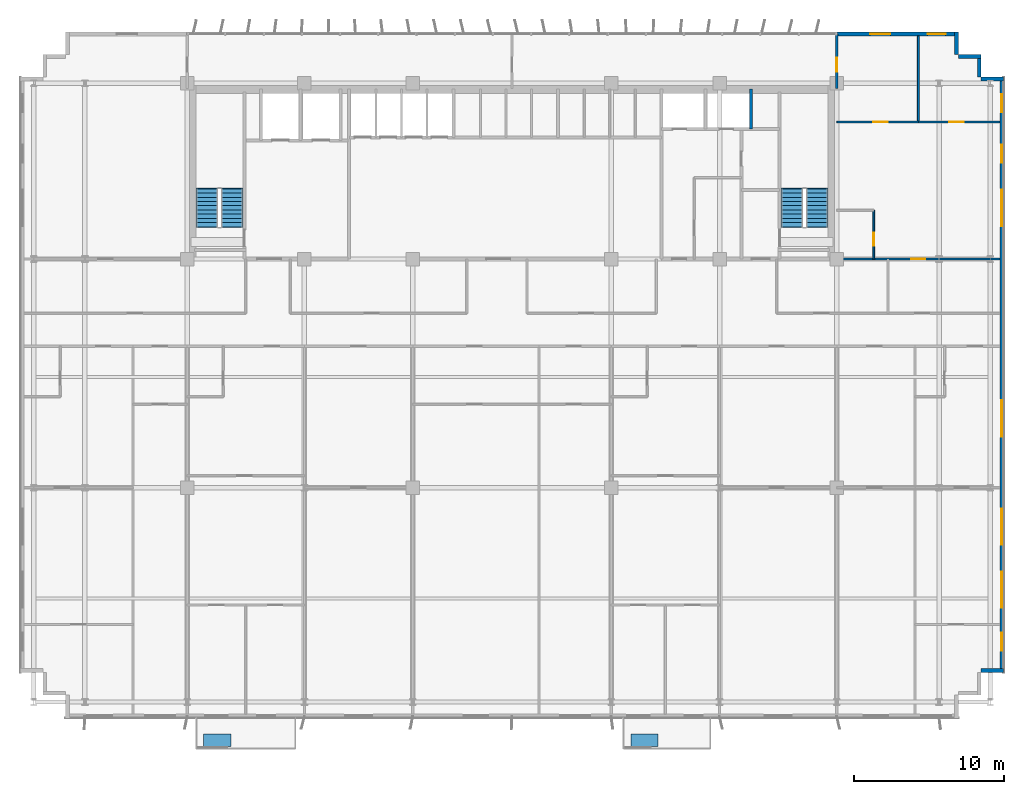
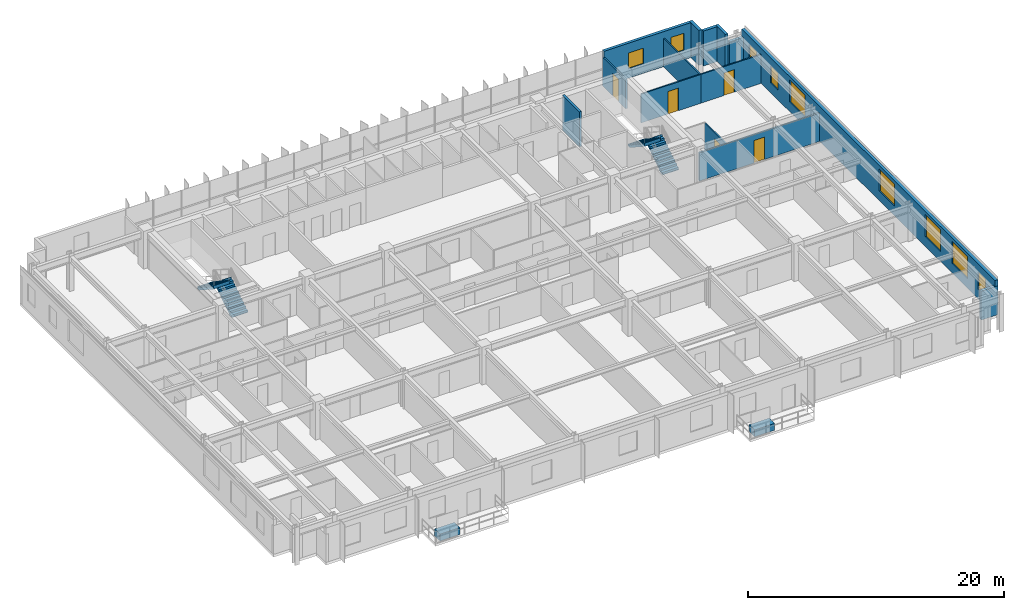
# One storey, part 19 of 22: 14 walls, 9 windows, 5 doors, 4 stair flights, 2 discrete accessories, 14 openings, 2 elements without a shape of their own.
"""IFC4 building model written with IfcOpenShell, lengths in metres."""

from ifc_helpers import new_model, si_unit, direction, frame, frame_2d, origin, origin_2d, place, context, subcontext, project, spatial, polyline, rectangle, outline, extrude, source, transform, mapped, material, layer, layer_set, type_object, element, fill, aggregate, save


model = new_model("IFC4")

# Units and contexts
model_context = context("Model", 3, precision=1e-05, world=origin(), true_north=direction((0.0, 1.0)))
body_context = subcontext(model_context, "Body", "Model", "MODEL_VIEW")
ifc_project = project(units=[si_unit("LENGTHUNIT", "METRE"), si_unit("AREAUNIT", "SQUARE_METRE"), si_unit("VOLUMEUNIT", "CUBIC_METRE"), si_unit("PLANEANGLEUNIT", "RADIAN"), si_unit("MASSUNIT", "GRAM", prefix="KILO")], contexts=[model_context])

# Site, building, storey
site_placement = place(None, origin())
site = spatial("IfcSite", under=ifc_project, at=site_placement, CompositionType="ELEMENT")
building_placement = place(site_placement, origin())
building = spatial("IfcBuilding", under=site, at=building_placement, Name="Trelvane Seafront Commons", CompositionType="ELEMENT")
storey_placement = place(building_placement, frame((0.0, 0.0, 52.300048828125)))
storey = spatial("IfcBuildingStorey", under=building, at=storey_placement, Name="L13", CompositionType="ELEMENT", Elevation=52.300048828125)

# Wall, openings, windows
ifc_material_1 = material(Name="Precast concrete C40/50", Category="concrete")
ifc_layer_1 = layer(ifc_material_1, 0.260009765625, Name="ARCH-WALL-EXT260")
ifc_layer_set_1 = layer_set([ifc_layer_1], Name="Precast concrete C40/50")
wall_type_1 = type_object("IfcWallType", Name="ARCH-WALL-EXT260", PredefinedType="SOLIDWALL", material=ifc_layer_set_1)
wall_1_placement = place(storey_placement, frame((58.800048828125, 48.3701171875, 0.0), z_axis=(0.0, 0.0, 1.0), x_axis=(1.0, 0.0, 0.0)))
wall_1 = element("IfcWall", 1, at=wall_1_placement, inside=storey, type_object=wall_type_1, Name="EW-L13-NE-0214", PredefinedType="SOLIDWALL", context=body_context, shape_type="SweptSolid", body=[
    extrude(rectangle(XDim=8.0, YDim=0.260009765625, at=frame_2d((4.0, 0.0))), origin(), (0.0, 0.0, 1.0), 3.33984375),
])
opening_1_placement = place(wall_1_placement, frame((2.208984375, 0.0, 0.89990234375)))
opening_1 = element("IfcOpeningElement", 2, at=opening_1_placement, cuts=wall_1, Name="Opening W09", PredefinedType="OPENING", context=body_context, shape_type="SweptSolid", body=[
    extrude(rectangle(XDim=1.35009765625, YDim=1.5, at=frame_2d((0.675048828125, 0.75))), frame((0.0, 0.139892578125, 0.0), z_axis=(0.0, -1.0, 0.0), x_axis=(1.0, 0.0, 0.0)), (0.0, 0.0, 1.0), 0.280029296875),
])
opening_2_placement = place(wall_1_placement, frame((6.032958984375, 0.0, 0.89990234375)))
opening_2 = element("IfcOpeningElement", 3, at=opening_2_placement, cuts=wall_1, Name="Opening W05", PredefinedType="OPENING", context=body_context, shape_type="SweptSolid", body=[
    extrude(rectangle(XDim=1.199951171875, YDim=1.64990234375, at=frame_2d((0.60009765625, 0.824951171875))), frame((0.0, 0.139892578125, 0.0), z_axis=(0.0, -1.0, 0.0), x_axis=(1.0, 0.0, 0.0)), (0.0, 0.0, 1.0), 0.280029296875),
])
ifc_material_2 = material(Name="Low-E coastal double glazing", Category="glass")
window_type_1 = type_object("IfcWindowType", Name="ARCH-WIN-W09", PartitioningType="SINGLE_PANEL", PredefinedType="WINDOW", material=ifc_material_2)
shared_shape_1 = source(origin(), body_context, "Body", "SweptSolid", [
    extrude(rectangle(XDim=1.35009765625, YDim=1.5, at=frame_2d((0.675048828125, 0.75))), frame((0.0, 0.030029296875, 0.0), z_axis=(0.0, -1.0, 0.0), x_axis=(1.0, 0.0, 0.0)), (0.0, 0.0, 1.0), 0.06005859375),
])
window_1_placement = place(opening_1_placement, origin())
window_1 = element("IfcWindow", 4, at=window_1_placement, inside=storey, type_object=window_type_1, Name="WIN-L13-00263", OverallHeight=1.5, OverallWidth=1.35009765625, PartitioningType="SINGLE_PANEL", PredefinedType="WINDOW", context=body_context, shape_type="MappedRepresentation", body=[
    mapped(shared_shape_1, transform((0.0, 0.0, 0.0), x_axis=(1.0, 0.0, 0.0), y_axis=(0.0, 1.0, 0.0), z_axis=(0.0, 0.0, 1.0), scale=1.0)),
])
fill(opening_1, window_1)
window_type_2 = type_object("IfcWindowType", Name="ARCH-WIN-W05", PartitioningType="SINGLE_PANEL", PredefinedType="WINDOW", material=ifc_material_2)
shared_shape_2 = source(origin(), body_context, "Body", "SweptSolid", [
    extrude(rectangle(XDim=1.199951171875, YDim=1.64990234375, at=frame_2d((0.60009765625, 0.824951171875))), frame((0.0, 0.030029296875, 0.0), z_axis=(0.0, -1.0, 0.0), x_axis=(1.0, 0.0, 0.0)), (0.0, 0.0, 1.0), 0.06005859375),
])
window_2_placement = place(opening_2_placement, origin())
window_2 = element("IfcWindow", 5, at=window_2_placement, inside=storey, type_object=window_type_2, Name="WIN-L13-00264", OverallHeight=1.64990234375, OverallWidth=1.199951171875, PartitioningType="SINGLE_PANEL", PredefinedType="WINDOW", context=body_context, shape_type="MappedRepresentation", body=[
    mapped(shared_shape_2, transform((0.0, 0.0, 0.0), x_axis=(1.0, 0.0, 0.0), y_axis=(0.0, 1.0, 0.0), z_axis=(0.0, 0.0, 1.0), scale=1.0)),
])
fill(opening_2, window_2)

# Walls
for number, where, z_axis, x_axis, name in (
    (6, (66.77001953125, 48.5, 0.0), (0.0, 0.0, 1.0), (0.0, -1.0, 0.0), "EW-L13-00223"),
    (7, (66.89990234375, 46.8701171875, 0.0), (0.0, 0.0, 1.0), (1.0, 0.0, 0.0), "EW-L13-00224"),
    (8, (68.27001953125, 47.0, 0.0), (0.0, 0.0, 1.0), (0.0, -1.0, 0.0), "EW-L13-00225"),
):
    element("IfcWall", number, at=place(storey_placement, frame(where, z_axis=z_axis, x_axis=x_axis)), inside=storey, type_object=wall_type_1, Name=name, PredefinedType="SOLIDWALL", context=body_context, shape_type="SweptSolid", body=[
        extrude(rectangle(XDim=1.5, YDim=0.260009765625, at=frame_2d((0.75, 0.0))), origin(), (0.0, 0.0, 1.0), 3.33984375),
    ])
wall_2_placement = place(storey_placement, frame((68.39990234375, 45.3701171875, 0.0), z_axis=(0.0, 0.0, 1.0), x_axis=(1.0, 0.0, 0.0)))
element("IfcWall", 9, at=wall_2_placement, inside=storey, type_object=wall_type_1, Name="EW-L13-00226", PredefinedType="SOLIDWALL", context=body_context, shape_type="SweptSolid", body=[
    extrude(rectangle(XDim=1.5, YDim=0.260009765625, at=frame_2d((0.75, 0.0))), origin(), (0.0, 0.0, 1.0), 2.68994140625),
])

# Wall, openings, windows
wall_3_placement = place(storey_placement, frame((69.77001953125, 45.5, 0.0), z_axis=(0.0, 0.0, 1.0), x_axis=(0.0, -1.0, 0.0)))
wall_3 = element("IfcWall", 10, at=wall_3_placement, inside=storey, type_object=wall_type_1, Name="EW-L13-00227", PredefinedType="SOLIDWALL", context=body_context, shape_type="SweptSolid", body=[
    extrude(rectangle(XDim=39.60009765625, YDim=0.260009765625, at=frame_2d((19.800048828125, 0.0))), origin(), (0.0, 0.0, 1.0), 3.33984375),
])
opening_3_placement = place(wall_3_placement, frame((36.949951171875, 0.0, 0.919921875)))
opening_3 = element("IfcOpeningElement", 11, at=opening_3_placement, cuts=wall_3, Name="Opening W05", PredefinedType="OPENING", context=body_context, shape_type="SweptSolid", body=[
    extrude(rectangle(XDim=1.199951171875, YDim=1.64990234375, at=frame_2d((0.60009765625, 0.824951171875))), frame((0.0, 0.139892578125, 0.0), z_axis=(0.0, -1.0, 0.0), x_axis=(1.0, 0.0, 0.0)), (0.0, 0.0, 1.0), 0.280029296875),
])
opening_4_placement = place(wall_3_placement, frame((32.89990234375, 0.0, 0.919921875)))
opening_4 = element("IfcOpeningElement", 12, at=opening_4_placement, cuts=wall_3, Name="Opening W08", PredefinedType="OPENING", context=body_context, shape_type="SweptSolid", body=[
    extrude(rectangle(XDim=2.39990234375, YDim=2.10009765625, at=frame_2d((1.199951171875, 1.050048828125))), frame((0.0, 0.139892578125, 0.0), z_axis=(0.0, -1.0, 0.0), x_axis=(1.0, 0.0, 0.0)), (0.0, 0.0, 1.0), 0.280029296875),
])
opening_5_placement = place(wall_3_placement, frame((28.699951171875, 0.0, 0.919921875)))
opening_5 = element("IfcOpeningElement", 13, at=opening_5_placement, cuts=wall_3, Name="Opening W08", PredefinedType="OPENING", context=body_context, shape_type="SweptSolid", body=[
    extrude(rectangle(XDim=2.39990234375, YDim=2.10009765625, at=frame_2d((1.199951171875, 1.050048828125))), frame((0.0, 0.139892578125, 0.0), z_axis=(0.0, -1.0, 0.0), x_axis=(1.0, 0.0, 0.0)), (0.0, 0.0, 1.0), 0.280029296875),
])
opening_6_placement = place(wall_3_placement, frame((21.5, 0.0, 0.919921875)))
opening_6 = element("IfcOpeningElement", 14, at=opening_6_placement, cuts=wall_3, Name="Opening W08", PredefinedType="OPENING", context=body_context, shape_type="SweptSolid", body=[
    extrude(rectangle(XDim=2.39990234375, YDim=2.10009765625, at=frame_2d((1.199951171875, 1.050048828125))), frame((0.0, 0.139892578125, 0.0), z_axis=(0.0, -1.0, 0.0), x_axis=(1.0, 0.0, 0.0)), (0.0, 0.0, 1.0), 0.280029296875),
])
opening_7_placement = place(wall_3_placement, frame((7.5, 0.0, 0.919921875)))
opening_7 = element("IfcOpeningElement", 15, at=opening_7_placement, cuts=wall_3, Name="Opening W08", PredefinedType="OPENING", context=body_context, shape_type="SweptSolid", body=[
    extrude(rectangle(XDim=2.39990234375, YDim=2.10009765625, at=frame_2d((1.199951171875, 1.050048828125))), frame((0.0, 0.139892578125, 0.0), z_axis=(0.0, -1.0, 0.0), x_axis=(1.0, 0.0, 0.0)), (0.0, 0.0, 1.0), 0.280029296875),
])
opening_8_placement = place(wall_3_placement, frame((4.5, 0.0, 0.919921875)))
opening_8 = element("IfcOpeningElement", 16, at=opening_8_placement, cuts=wall_3, Name="Opening W05", PredefinedType="OPENING", context=body_context, shape_type="SweptSolid", body=[
    extrude(rectangle(XDim=1.199951171875, YDim=1.64990234375, at=frame_2d((0.60009765625, 0.824951171875))), frame((0.0, 0.139892578125, 0.0), z_axis=(0.0, -1.0, 0.0), x_axis=(1.0, 0.0, 0.0)), (0.0, 0.0, 1.0), 0.280029296875),
])
opening_9_placement = place(wall_3_placement, frame((1.14990234375, 0.0, 0.919921875)))
opening_9 = element("IfcOpeningElement", 17, at=opening_9_placement, cuts=wall_3, Name="Opening W05", PredefinedType="OPENING", context=body_context, shape_type="SweptSolid", body=[
    extrude(rectangle(XDim=1.199951171875, YDim=1.64990234375, at=frame_2d((0.60009765625, 0.824951171875))), frame((0.0, 0.139892578125, 0.0), z_axis=(0.0, -1.0, 0.0), x_axis=(1.0, 0.0, 0.0)), (0.0, 0.0, 1.0), 0.280029296875),
])
window_type_3 = type_object("IfcWindowType", Name="ARCH-WIN-W08", PartitioningType="SINGLE_PANEL", PredefinedType="WINDOW", material=ifc_material_2)
shared_shape_3 = source(origin(), body_context, "Body", "SweptSolid", [
    extrude(rectangle(XDim=2.39990234375, YDim=2.10009765625, at=frame_2d((1.199951171875, 1.050048828125))), frame((0.0, 0.030029296875, 0.0), z_axis=(0.0, -1.0, 0.0), x_axis=(1.0, 0.0, 0.0)), (0.0, 0.0, 1.0), 0.06005859375),
])
window_3_placement = place(opening_4_placement, origin())
window_3 = element("IfcWindow", 18, at=window_3_placement, inside=storey, type_object=window_type_3, Name="WIN-L13-EW-00272", OverallHeight=2.10009765625, OverallWidth=2.39990234375, PartitioningType="SINGLE_PANEL", PredefinedType="WINDOW", context=body_context, shape_type="MappedRepresentation", body=[
    mapped(shared_shape_3, transform((0.0, 0.0, 0.0), x_axis=(1.0, 0.0, 0.0), y_axis=(0.0, 1.0, 0.0), z_axis=(0.0, 0.0, 1.0), scale=1.0)),
])
fill(opening_4, window_3)
window_4_placement = place(opening_5_placement, origin())
window_4 = element("IfcWindow", 19, at=window_4_placement, inside=storey, type_object=window_type_3, Name="WIN-L13-EW-00273", OverallHeight=2.10009765625, OverallWidth=2.39990234375, PartitioningType="SINGLE_PANEL", PredefinedType="WINDOW", context=body_context, shape_type="MappedRepresentation", body=[
    mapped(shared_shape_3, transform((0.0, 0.0, 0.0), x_axis=(1.0, 0.0, 0.0), y_axis=(0.0, 1.0, 0.0), z_axis=(0.0, 0.0, 1.0), scale=1.0)),
])
fill(opening_5, window_4)
window_5_placement = place(opening_6_placement, origin())
window_5 = element("IfcWindow", 20, at=window_5_placement, inside=storey, type_object=window_type_3, Name="WIN-L13-EW-00274", OverallHeight=2.10009765625, OverallWidth=2.39990234375, PartitioningType="SINGLE_PANEL", PredefinedType="WINDOW", context=body_context, shape_type="MappedRepresentation", body=[
    mapped(shared_shape_3, transform((0.0, 0.0, 0.0), x_axis=(1.0, 0.0, 0.0), y_axis=(0.0, 1.0, 0.0), z_axis=(0.0, 0.0, 1.0), scale=1.0)),
])
fill(opening_6, window_5)
window_6_placement = place(opening_7_placement, origin())
window_6 = element("IfcWindow", 21, at=window_6_placement, inside=storey, type_object=window_type_3, Name="WIN-L13-EW-00275", OverallHeight=2.10009765625, OverallWidth=2.39990234375, PartitioningType="SINGLE_PANEL", PredefinedType="WINDOW", context=body_context, shape_type="MappedRepresentation", body=[
    mapped(shared_shape_3, transform((0.0, 0.0, 0.0), x_axis=(1.0, 0.0, 0.0), y_axis=(0.0, 1.0, 0.0), z_axis=(0.0, 0.0, 1.0), scale=1.0)),
])
fill(opening_7, window_6)
window_7_placement = place(opening_3_placement, origin())
window_7 = element("IfcWindow", 22, at=window_7_placement, inside=storey, type_object=window_type_2, Name="WIN-L13-EW-00271", OverallHeight=1.64990234375, OverallWidth=1.199951171875, PartitioningType="SINGLE_PANEL", PredefinedType="WINDOW", context=body_context, shape_type="MappedRepresentation", body=[
    mapped(shared_shape_2, transform((0.0, 0.0, 0.0), x_axis=(1.0, 0.0, 0.0), y_axis=(0.0, 1.0, 0.0), z_axis=(0.0, 0.0, 1.0), scale=1.0)),
])
fill(opening_3, window_7)
window_8_placement = place(opening_8_placement, origin())
window_8 = element("IfcWindow", 23, at=window_8_placement, inside=storey, type_object=window_type_2, Name="WIN-L13-EW-00276", OverallHeight=1.64990234375, OverallWidth=1.199951171875, PartitioningType="SINGLE_PANEL", PredefinedType="WINDOW", context=body_context, shape_type="MappedRepresentation", body=[
    mapped(shared_shape_2, transform((0.0, 0.0, 0.0), x_axis=(1.0, 0.0, 0.0), y_axis=(0.0, 1.0, 0.0), z_axis=(0.0, 0.0, 1.0), scale=1.0)),
])
fill(opening_8, window_8)
window_9_placement = place(opening_9_placement, origin())
window_9 = element("IfcWindow", 24, at=window_9_placement, inside=storey, type_object=window_type_2, Name="WIN-L13-EW-00277", OverallHeight=1.64990234375, OverallWidth=1.199951171875, PartitioningType="SINGLE_PANEL", PredefinedType="WINDOW", context=body_context, shape_type="MappedRepresentation", body=[
    mapped(shared_shape_2, transform((0.0, 0.0, 0.0), x_axis=(1.0, 0.0, 0.0), y_axis=(0.0, 1.0, 0.0), z_axis=(0.0, 0.0, 1.0), scale=1.0)),
])
fill(opening_9, window_9)

# Wall
wall_4_placement = place(storey_placement, frame((69.89990234375, 6.030029296875, 0.0), z_axis=(0.0, 0.0, 1.0), x_axis=(-1.0, 0.0, 0.0)))
element("IfcWall", 25, at=wall_4_placement, inside=storey, type_object=wall_type_1, Name="EW-L13-00228", PredefinedType="SOLIDWALL", context=body_context, shape_type="SweptSolid", body=[
    extrude(rectangle(XDim=1.5, YDim=0.260009765625, at=frame_2d((0.75, 0.0))), origin(), (0.0, 0.0, 1.0), 2.751953125),
])

# Wall, opening, door
ifc_material_3 = material(Name="Gypsum Drywall Acoustic Partition")
ifc_layer_2 = layer(ifc_material_3, 0.1201171875, Name="ARCH-WALL-PART120")
ifc_layer_set_2 = layer_set([ifc_layer_2], Name="Gypsum Drywall Acoustic Partition")
wall_type_2 = type_object("IfcWallType", Name="ARCH-WALL-PART120", PredefinedType="PARTITIONING", material=ifc_layer_set_2)
wall_5_placement = place(storey_placement, frame((61.25, 33.39990234375, 0.0), z_axis=(0.0, 0.0, 1.0), x_axis=(0.0, 1.0, 0.0)))
wall_5 = element("IfcWall", 26, at=wall_5_placement, inside=storey, type_object=wall_type_2, Name="W-L13-NE-BE-050", PredefinedType="PARTITIONING", context=body_context, shape_type="SweptSolid", body=[
    extrude(rectangle(XDim=3.25, YDim=0.1201171875, at=frame_2d((1.625, 0.0))), origin(), (0.0, 0.0, 1.0), 2.68994140625),
])
opening_10_placement = place(wall_5_placement, frame((0.89990234375, 0.0, 0.0)))
opening_10 = element("IfcOpeningElement", 27, at=opening_10_placement, cuts=wall_5, Name="Opening D-L13-23", PredefinedType="OPENING", context=body_context, shape_type="SweptSolid", body=[
    extrude(rectangle(XDim=0.85009765625, YDim=2.10009765625, at=frame_2d((0.425048828125, 1.050048828125))), frame((0.0, 0.070068359375, 0.0), z_axis=(0.0, -1.0, 0.0), x_axis=(1.0, 0.0, 0.0)), (0.0, 0.0, 1.0), 0.14013671875),
])
ifc_material_4 = material(Name="Acoustic timber door leaf", Category="wood")
door_type_1 = type_object("IfcDoorType", Name="ARCH-DR-INT850", OperationType="NOTDEFINED", PredefinedType="DOOR", material=ifc_material_4)
shared_shape_4 = source(origin(), body_context, "Body", "SweptSolid", [
    extrude(rectangle(XDim=0.85009765625, YDim=2.10009765625, at=frame_2d((0.425048828125, 1.050048828125))), frame((0.0, 0.02490234375, 0.0), z_axis=(0.0, -1.0, 0.0), x_axis=(1.0, 0.0, 0.0)), (0.0, 0.0, 1.0), 0.050048828125),
])
door_1_placement = place(opening_10_placement, origin())
door_1 = element("IfcDoor", 28, at=door_1_placement, inside=storey, type_object=door_type_1, Name="L13 Door 23", OperationType="SINGLE_SWING_LEFT", OverallHeight=2.10009765625, OverallWidth=0.85009765625, PredefinedType="DOOR", context=body_context, shape_type="MappedRepresentation", body=[
    mapped(shared_shape_4, transform((0.0, 0.0, 0.0), x_axis=(1.0, 0.0, 0.0), y_axis=(0.0, 1.0, 0.0), z_axis=(0.0, 0.0, 1.0), scale=1.0)),
])
fill(opening_10, door_1)

wall_6_placement = place(storey_placement, frame((58.800048828125, 42.52001953125, 0.0), z_axis=(0.0, 0.0, 1.0), x_axis=(1.0, 0.0, 0.0)))
wall_6 = element("IfcWall", 29, at=wall_6_placement, inside=storey, type_object=wall_type_2, Name="W-L13-NE-KB1-052", PredefinedType="PARTITIONING", context=body_context, shape_type="SweptSolid", body=[
    extrude(rectangle(XDim=5.425048828125, YDim=0.1201171875, at=frame_2d((2.71240234375, 0.0))), origin(), (0.0, 0.0, 1.0), 2.751953125),
])
opening_11_placement = place(wall_6_placement, frame((2.423095703125, 0.0, 0.0)))
opening_11 = element("IfcOpeningElement", 30, at=opening_11_placement, cuts=wall_6, Name="Opening D-L13-24", PredefinedType="OPENING", context=body_context, shape_type="SweptSolid", body=[
    extrude(rectangle(XDim=0.949951171875, YDim=2.14990234375, at=frame_2d((0.47509765625, 1.074951171875))), frame((0.0, 0.070068359375, 0.0), z_axis=(0.0, -1.0, 0.0), x_axis=(1.0, 0.0, 0.0)), (0.0, 0.0, 1.0), 0.14013671875),
])
door_type_2 = type_object("IfcDoorType", Name="ARCH-DR-INT950", OperationType="NOTDEFINED", PredefinedType="DOOR", material=ifc_material_4)
shared_shape_5 = source(origin(), body_context, "Body", "SweptSolid", [
    extrude(rectangle(XDim=0.949951171875, YDim=2.14990234375, at=frame_2d((0.47509765625, 1.074951171875))), frame((0.0, 0.02490234375, 0.0), z_axis=(0.0, -1.0, 0.0), x_axis=(1.0, 0.0, 0.0)), (0.0, 0.0, 1.0), 0.050048828125),
])
door_2_placement = place(opening_11_placement, origin())
door_2 = element("IfcDoor", 31, at=door_2_placement, inside=storey, type_object=door_type_2, Name="L13 Door 24", OperationType="SINGLE_SWING_RIGHT", OverallHeight=2.14990234375, OverallWidth=0.949951171875, PredefinedType="DOOR", context=body_context, shape_type="MappedRepresentation", body=[
    mapped(shared_shape_5, transform((0.0, 0.0, 0.0), x_axis=(1.0, 0.0, 0.0), y_axis=(0.0, 1.0, 0.0), z_axis=(0.0, 0.0, 1.0), scale=1.0)),
])
fill(opening_11, door_2)

wall_7_placement = place(storey_placement, frame((64.22509765625, 42.52001953125, 0.0), z_axis=(0.0, 0.0, 1.0), x_axis=(1.0, 0.0, 0.0)))
wall_7 = element("IfcWall", 32, at=wall_7_placement, inside=storey, type_object=wall_type_2, Name="W-L13-NE-KB2-053", PredefinedType="PARTITIONING", context=body_context, shape_type="SweptSolid", body=[
    extrude(rectangle(XDim=5.4248046875, YDim=0.1201171875, at=frame_2d((2.71240234375, 0.0))), origin(), (0.0, 0.0, 1.0), 2.751953125),
])
opening_12_placement = place(wall_7_placement, frame((2.052001953125, 0.0, 0.0)))
opening_12 = element("IfcOpeningElement", 33, at=opening_12_placement, cuts=wall_7, Name="Opening D-L13-25", PredefinedType="OPENING", context=body_context, shape_type="SweptSolid", body=[
    extrude(rectangle(XDim=0.949951171875, YDim=2.14990234375, at=frame_2d((0.47509765625, 1.074951171875))), frame((0.0, 0.070068359375, 0.0), z_axis=(0.0, -1.0, 0.0), x_axis=(1.0, 0.0, 0.0)), (0.0, 0.0, 1.0), 0.14013671875),
])
door_3_placement = place(opening_12_placement, origin())
door_3 = element("IfcDoor", 34, at=door_3_placement, inside=storey, type_object=door_type_2, Name="L13 Door 25", OperationType="SINGLE_SWING_LEFT", OverallHeight=2.14990234375, OverallWidth=0.949951171875, PredefinedType="DOOR", context=body_context, shape_type="MappedRepresentation", body=[
    mapped(shared_shape_5, transform((0.0, 0.0, 0.0), x_axis=(1.0, 0.0, 0.0), y_axis=(0.0, 1.0, 0.0), z_axis=(0.0, 0.0, 1.0), scale=1.0)),
])
fill(opening_12, door_3)

# Wall
wall_8_placement = place(storey_placement, frame((64.22509765625, 42.52001953125, 0.0), z_axis=(0.0, 0.0, 1.0), x_axis=(0.0, 1.0, 0.0)))
element("IfcWall", 35, at=wall_8_placement, inside=storey, type_object=wall_type_2, Name="W-L13-NE-KBDV-054", PredefinedType="PARTITIONING", context=body_context, shape_type="SweptSolid", body=[
    extrude(rectangle(XDim=5.719970703125, YDim=0.1201171875, at=frame_2d((2.85986328125, 0.0))), origin(), (0.0, 0.0, 1.0), 2.68994140625),
])

# Wall, opening, door
ifc_layer_3 = layer(ifc_material_3, 0.14990234375, Name="ARCH-WALL-PART150")
ifc_layer_set_3 = layer_set([ifc_layer_3], Name="Gypsum Drywall Acoustic Partition")
wall_type_3 = type_object("IfcWallType", Name="ARCH-WALL-PART150", PredefinedType="PARTITIONING", material=ifc_layer_set_3)
wall_9_placement = place(storey_placement, frame((58.800048828125, 33.39990234375, 0.0), z_axis=(0.0, 0.0, 1.0), x_axis=(1.0, 0.0, 0.0)))
wall_9 = element("IfcWall", 36, at=wall_9_placement, inside=storey, type_object=wall_type_3, Name="W-L13-NE-ENT-055", PredefinedType="PARTITIONING", context=body_context, shape_type="SweptSolid", body=[
    extrude(rectangle(XDim=10.849853515625, YDim=0.14990234375, at=frame_2d((5.4248046875, 0.0))), origin(), (0.0, 0.0, 1.0), 2.68994140625),
])
opening_13_placement = place(wall_9_placement, frame((4.93310546875, 0.0, 0.0)))
opening_13 = element("IfcOpeningElement", 37, at=opening_13_placement, cuts=wall_9, Name="Opening FD-L13-26", PredefinedType="OPENING", context=body_context, shape_type="SweptSolid", body=[
    extrude(rectangle(XDim=0.949951171875, YDim=2.14990234375, at=frame_2d((0.47509765625, 1.074951171875))), frame((0.0, 0.0849609375, 0.0), z_axis=(0.0, -1.0, 0.0), x_axis=(1.0, 0.0, 0.0)), (0.0, 0.0, 1.0), 0.169921875),
])
ifc_material_5 = material(Name="Powder-coated aluminium frame", Category="aluminium")
door_type_3 = type_object("IfcDoorType", Name="ARCH-DR-FD60-950", OperationType="NOTDEFINED", PredefinedType="DOOR", material=ifc_material_5)
door_4_placement = place(opening_13_placement, origin())
door_4 = element("IfcDoor", 38, at=door_4_placement, inside=storey, type_object=door_type_3, Name="L13 NE Flat Entrance Door", OperationType="SINGLE_SWING_RIGHT", OverallHeight=2.14990234375, OverallWidth=0.949951171875, PredefinedType="DOOR", context=body_context, shape_type="MappedRepresentation", body=[
    mapped(shared_shape_5, transform((0.0, 0.0, 0.0), x_axis=(1.0, 0.0, 0.0), y_axis=(0.0, 1.0, 0.0), z_axis=(0.0, 0.0, 1.0), scale=1.0)),
])
fill(opening_13, door_4)

wall_10_placement = place(storey_placement, frame((58.800048828125, 44.75, 0.0), z_axis=(0.0, 0.0, 1.0), x_axis=(0.0, 1.0, 0.0)))
wall_10 = element("IfcWall", 39, at=wall_10_placement, inside=storey, type_object=wall_type_3, Name="W-L13-N-LINK-E-058", PredefinedType="PARTITIONING", context=body_context, shape_type="SweptSolid", body=[
    extrude(rectangle(XDim=3.610107421875, YDim=0.14990234375, at=frame_2d((1.80517578125, 0.0))), origin(), (0.0, 0.0, 1.0), 2.751953125),
])
opening_14_placement = place(wall_10_placement, frame((1.10009765625, 0.0, 0.0)))
opening_14 = element("IfcOpeningElement", 40, at=opening_14_placement, cuts=wall_10, Name="Opening FD-L13-29", PredefinedType="OPENING", context=body_context, shape_type="SweptSolid", body=[
    extrude(rectangle(XDim=0.949951171875, YDim=2.14990234375, at=frame_2d((0.47509765625, 1.074951171875))), frame((0.0, 0.0849609375, 0.0), z_axis=(0.0, -1.0, 0.0), x_axis=(1.0, 0.0, 0.0)), (0.0, 0.0, 1.0), 0.169921875),
])
door_5_placement = place(opening_14_placement, origin())
door_5 = element("IfcDoor", 41, at=door_5_placement, inside=storey, type_object=door_type_3, Name="L13 Door 29", OperationType="SINGLE_SWING_LEFT", OverallHeight=2.14990234375, OverallWidth=0.949951171875, PredefinedType="DOOR", context=body_context, shape_type="MappedRepresentation", body=[
    mapped(shared_shape_5, transform((0.0, 0.0, 0.0), x_axis=(1.0, 0.0, 0.0), y_axis=(0.0, 1.0, 0.0), z_axis=(0.0, 0.0, 1.0), scale=1.0)),
])
fill(opening_14, door_5)

# Wall
ifc_material_6 = material(Name="Concrete C40/50", Category="concrete")
ifc_layer_4 = layer(ifc_material_6, 0.199951171875, Name="ARCH-WALL-SHAFT200")
ifc_layer_set_4 = layer_set([ifc_layer_4], Name="Concrete C40/50")
wall_type_4 = type_object("IfcWallType", Name="ARCH-WALL-SHAFT200", PredefinedType="SOLIDWALL", material=ifc_layer_set_4)
wall_11_placement = place(storey_placement, frame((53.10009765625, 42.050048828125, 0.0), z_axis=(0.0, 0.0, 1.0), x_axis=(0.0, 1.0, 0.0)))
element("IfcWall", 42, at=wall_11_placement, inside=storey, type_object=wall_type_4, Name="W-L13-RSR-E-032", PredefinedType="SOLIDWALL", context=body_context, shape_type="SweptSolid", body=[
    extrude(rectangle(XDim=2.64990234375, YDim=0.199951171875, at=frame_2d((1.324951171875, 0.0))), origin(), (0.0, 0.0, 1.0), 3.33984375),
])

# Stair, stair flights
stair_type_1 = type_object("IfcStairType", Name="ARCH-STR-ST-1-R20-180", PredefinedType="HALF_TURN_STAIR", material=ifc_material_6)
stair_1_placement = place(storey_placement, origin())
stair_1 = element("IfcStair", 43, at=stair_1_placement, inside=storey, type_object=stair_type_1, Name="L13 West Protected Firefighting Exit Stair ST-1", PredefinedType="HALF_TURN_STAIR")
stair_flight_type_1 = type_object("IfcStairFlightType", Name="ARCH-FLG-ST-1-R20-180", PredefinedType="STRAIGHT", material=ifc_material_6)
shared_shape_6 = source(origin(), body_context, "Body", "SweptSolid", [
    extrude(outline(polyline([(-0.050048828125, -0.02001953125), (-0.050048828125, 0.0), (0.0, 0.0), (0.0, 0.179931640625), (0.280029296875, 0.179931640625), (0.280029296875, 0.360107421875), (0.56005859375, 0.360107421875), (0.56005859375, 0.5400390625), (0.840087890625, 0.5400390625), (0.840087890625, 0.719970703125), (1.1201171875, 0.719970703125), (1.1201171875, 0.89990234375), (1.39990234375, 0.89990234375), (1.39990234375, 1.080078125), (1.679931640625, 1.080078125), (1.679931640625, 1.260009765625), (1.9599609375, 1.260009765625), (1.9599609375, 1.43994140625), (2.239990234375, 1.43994140625), (2.239990234375, 1.6201171875), (2.52001953125, 1.6201171875), (2.52001953125, 1.800048828125), (2.570068359375, 1.800048828125), (2.570068359375, 1.650146484375), (2.52001953125, 1.44189453125), (0.277099609375, -0.02001953125), (-0.050048828125, -0.02001953125)])), frame((0.0, 0.72509765625, 0.0), z_axis=(0.0, -1.0, 0.0), x_axis=(1.0, 0.0, 0.0)), (0.0, 0.0, 1.0), 1.449951171875),
])
stair_flight_1_placement = place(storey_placement, frame((18.574951171875, 35.550048828125, 0.0), z_axis=(0.0, 0.0, 1.0), x_axis=(0.0, 1.0, 0.0)))
stair_flight_1 = element("IfcStairFlight", 44, at=stair_flight_1_placement, type_object=stair_flight_type_1, Name="ST-1 flight 1", NumberOfRisers=10, NumberOfTreads=9, PredefinedType="STRAIGHT", RiserHeight=0.18, TreadLength=0.28, context=body_context, shape_type="MappedRepresentation", body=[
    mapped(shared_shape_6, transform((0.0, 0.0, 0.0), x_axis=(1.0, 0.0, 0.0), y_axis=(0.0, 1.0, 0.0), z_axis=(0.0, 0.0, 1.0), scale=1.0)),
])
stair_flight_2_placement = place(storey_placement, frame((16.925048828125, 38.070068359375, 1.800048828125), z_axis=(0.0, 0.0, 1.0), x_axis=(0.0, -1.0, 0.0)))
stair_flight_2 = element("IfcStairFlight", 45, at=stair_flight_2_placement, type_object=stair_flight_type_1, Name="ST-1 flight 2", NumberOfRisers=10, NumberOfTreads=9, PredefinedType="STRAIGHT", RiserHeight=0.18, TreadLength=0.28, context=body_context, shape_type="MappedRepresentation", body=[
    mapped(shared_shape_6, transform((0.0, 0.0, 0.0), x_axis=(1.0, 0.0, 0.0), y_axis=(0.0, 1.0, 0.0), z_axis=(0.0, 0.0, 1.0), scale=1.0)),
])
aggregate(stair_1, [stair_flight_1, stair_flight_2])

stair_type_2 = type_object("IfcStairType", Name="ARCH-STR-ST-2-R20-180", PredefinedType="HALF_TURN_STAIR", material=ifc_material_6)
stair_2_placement = place(storey_placement, origin())
stair_2 = element("IfcStair", 46, at=stair_2_placement, inside=storey, type_object=stair_type_2, Name="L13 East Protected Firefighting Exit Stair ST-2", PredefinedType="HALF_TURN_STAIR")
stair_flight_type_2 = type_object("IfcStairFlightType", Name="ARCH-FLG-ST-2-R20-180", PredefinedType="STRAIGHT", material=ifc_material_6)
stair_flight_3_placement = place(storey_placement, frame((57.47509765625, 35.550048828125, 0.0), z_axis=(0.0, 0.0, 1.0), x_axis=(0.0, 1.0, 0.0)))
stair_flight_3 = element("IfcStairFlight", 47, at=stair_flight_3_placement, type_object=stair_flight_type_2, Name="ST-2 flight 1", NumberOfRisers=10, NumberOfTreads=9, PredefinedType="STRAIGHT", RiserHeight=0.18, TreadLength=0.28, context=body_context, shape_type="MappedRepresentation", body=[
    mapped(shared_shape_6, transform((0.0, 0.0, 0.0), x_axis=(1.0, 0.0, 0.0), y_axis=(0.0, 1.0, 0.0), z_axis=(0.0, 0.0, 1.0), scale=1.0)),
])
stair_flight_4_placement = place(storey_placement, frame((55.824951171875, 38.070068359375, 1.800048828125), z_axis=(0.0, 0.0, 1.0), x_axis=(0.0, -1.0, 0.0)))
stair_flight_4 = element("IfcStairFlight", 48, at=stair_flight_4_placement, type_object=stair_flight_type_2, Name="ST-2 flight 2", NumberOfRisers=10, NumberOfTreads=9, PredefinedType="STRAIGHT", RiserHeight=0.18, TreadLength=0.28, context=body_context, shape_type="MappedRepresentation", body=[
    mapped(shared_shape_6, transform((0.0, 0.0, 0.0), x_axis=(1.0, 0.0, 0.0), y_axis=(0.0, 1.0, 0.0), z_axis=(0.0, 0.0, 1.0), scale=1.0)),
])
aggregate(stair_2, [stair_flight_3, stair_flight_4])

# Discrete accessories
discrete_accessory_type = type_object("IfcDiscreteAccessoryType", Name="ARCH-ACC-PLANTER", PredefinedType="USERDEFINED", material=ifc_material_1)
shared_shape_7 = source(origin(), body_context, "Body", "SweptSolid", [
    extrude(rectangle(XDim=1.800048828125, YDim=0.85009765625, at=origin_2d()), origin(), (0.0, 0.0, 1.0), 0.64990234375),
])
for number, where, z_axis, x_axis, name in (
    (49, (17.60009765625, 1.39990234375, 0.0), (0.0, 0.0, 1.0), (1.0, 0.0, 0.0), "PLN-L13-B0-016"),
    (50, (46.0, 1.39990234375, 0.0), (0.0, 0.0, 1.0), (1.0, 0.0, 0.0), "PLN-L13-B1-017"),
):
    element("IfcDiscreteAccessory", number, at=place(storey_placement, frame(where, z_axis=z_axis, x_axis=x_axis)), inside=storey, type_object=discrete_accessory_type, Name=name, ObjectType="BALCONY TREE PLANTER", PredefinedType="USERDEFINED", context=body_context, shape_type="MappedRepresentation", body=[
        mapped(shared_shape_7, transform((0.0, 0.0, 0.0), x_axis=(1.0, 0.0, 0.0), y_axis=(0.0, 1.0, 0.0), z_axis=(0.0, 0.0, 1.0), scale=1.0)),
    ])

save(model, "model.ifc")
